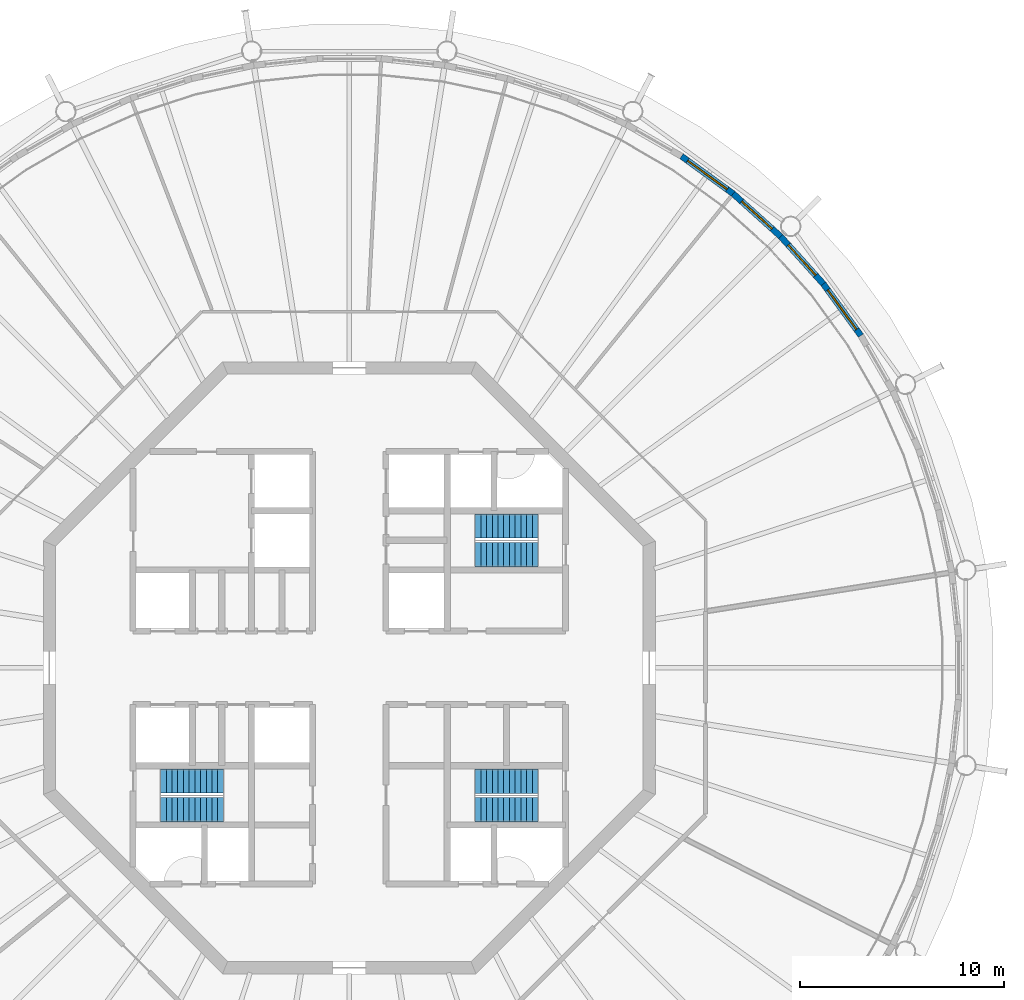
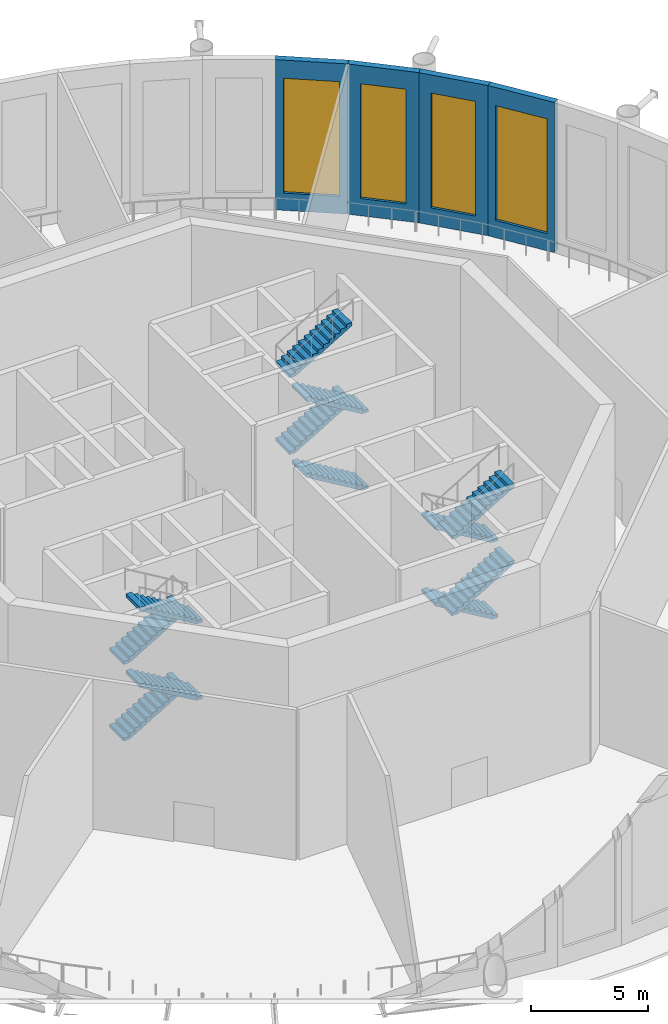
# One storey, part 9 of 17: 12 stair flights, 4 walls, 4 windows, 4 openings, 3 elements without a shape of their own.
"""IFC4 building model written with IfcOpenShell, lengths in metres."""

from ifc_helpers import new_model, si_unit, direction, frame, frame_2d, origin, place, context, subcontext, project, spatial, polyline, rectangle, outline, extrude, material, layer, layer_set, type_object, element, fill, aggregate, save


model = new_model("IFC4")

# Units and contexts
model_context = context("Model", 3, precision=1e-05, world=origin(), true_north=direction((0.0, 1.0)))
body_context = subcontext(model_context, "Body", "Model", "MODEL_VIEW")
ifc_project = project(units=[si_unit("LENGTHUNIT", "METRE"), si_unit("AREAUNIT", "SQUARE_METRE"), si_unit("VOLUMEUNIT", "CUBIC_METRE"), si_unit("PLANEANGLEUNIT", "RADIAN"), si_unit("MASSUNIT", "GRAM", prefix="KILO")], contexts=[model_context])

# Site, building, storey
site_placement = place(None, origin())
site = spatial("IfcSite", under=ifc_project, at=site_placement, CompositionType="ELEMENT")
building_placement = place(site_placement, origin())
building = spatial("IfcBuilding", under=site, at=building_placement, Name="Entoto Ring Tower", CompositionType="ELEMENT")
storey_placement = place(building_placement, frame((0.0, 0.0, 407.0)))
storey = spatial("IfcBuildingStorey", under=building, at=storey_placement, Name="L93", CompositionType="ELEMENT", Elevation=407.0)

# Wall, opening, window
ifc_material_1 = material(Name="Insulated aluminium rainscreen on steel studs", Category="steel")
ifc_layer = layer(ifc_material_1, 0.300048828125)
ifc_layer_set = layer_set([ifc_layer], Name="Insulated aluminium rainscreen on steel studs")
wall_type = type_object("IfcWallType", Name="Observation facade wall 300 mm", PredefinedType="STANDARD", material=ifc_layer_set)
wall_1_placement = place(storey_placement, frame((115.076171875, 96.28466796875, 0.0), z_axis=(0.0, 0.0, 1.0), x_axis=(-0.587786653389, 0.809015976417, 0.0)))
wall_1 = element("IfcWall", 1, at=wall_1_placement, inside=storey, type_object=wall_type, Name="OBSERVATION WALL 04", PredefinedType="STANDARD", context=body_context, shape_type="SweptSolid", body=[
    extrude(outline(polyline([(-0.0078125, -0.14990234375), (3.137451171875, -0.14990234375), (3.121826171875, 0.14990234375), (0.0078125, 0.14990234375), (-0.0078125, -0.14990234375)])), origin(), (0.0, 0.0, 1.0), 7.85009765625),
])
opening_1_placement = place(wall_1_placement, frame((0.36474609375, 0.0, 0.89990234375)))
opening_1 = element("IfcOpeningElement", 2, at=opening_1_placement, cuts=wall_1, Name="Opening W1", PredefinedType="OPENING", context=body_context, shape_type="SweptSolid", body=[
    extrude(rectangle(XDim=2.39990234375, YDim=6.0, at=frame_2d((1.199951171875, 3.0))), frame((0.0, 0.16015625, 0.0), z_axis=(0.0, -1.0, 0.0), x_axis=(1.0, 0.0, 0.0)), (0.0, 0.0, 1.0), 0.320068359375),
])
ifc_material_2 = material(Name="Clear low-iron glass in anodised aluminium frame", Category="aluminium")
window_type_1 = type_object("IfcWindowType", Name="Observation window W1 2400 x 6000 mm fixed", PartitioningType="SINGLE_PANEL", PredefinedType="WINDOW", material=ifc_material_2)
window_1_placement = place(opening_1_placement, origin())
window_1 = element("IfcWindow", 3, at=window_1_placement, inside=storey, type_object=window_type_1, Name="OBSERVATION WINDOW 04", OverallHeight=6.0, OverallWidth=2.39990234375, PartitioningType="SINGLE_PANEL", PredefinedType="WINDOW", context=body_context, shape_type="SweptSolid", body=[
    extrude(rectangle(XDim=2.39990234375, YDim=6.0, at=frame_2d((1.199951171875, 3.0))), frame((0.0, 0.030029296875, 0.0), z_axis=(0.0, -1.0, 0.0), x_axis=(1.0, 0.0, 0.0)), (0.0, 0.0, 1.0), 0.06005859375),
])
fill(opening_1, window_1)

wall_2_placement = place(storey_placement, frame((113.236572265625, 98.816650390625, 0.0), z_axis=(0.0, 0.0, 1.0), x_axis=(-0.669081090075, 0.743189407153, 0.0)))
wall_2 = element("IfcWall", 4, at=wall_2_placement, inside=storey, type_object=wall_type, Name="OBSERVATION WALL 05", PredefinedType="STANDARD", context=body_context, shape_type="SweptSolid", body=[
    extrude(outline(polyline([(-0.0078125, -0.14990234375), (3.137451171875, -0.14990234375), (3.121826171875, 0.14990234375), (0.0078125, 0.14990234375), (-0.0078125, -0.14990234375)])), origin(), (0.0, 0.0, 1.0), 7.85009765625),
])
opening_2_placement = place(wall_2_placement, frame((0.56494140625, 0.0, 0.89990234375)))
opening_2 = element("IfcOpeningElement", 5, at=opening_2_placement, cuts=wall_2, Name="Opening W2", PredefinedType="OPENING", context=body_context, shape_type="SweptSolid", body=[
    extrude(rectangle(XDim=2.0, YDim=6.0, at=frame_2d((1.0, 3.0))), frame((0.0, 0.16015625, 0.0), z_axis=(0.0, -1.0, 0.0), x_axis=(1.0, 0.0, 0.0)), (0.0, 0.0, 1.0), 0.320068359375),
])
ifc_material_3 = material(Name="Clear low-iron glass in anodised aluminium frame", Category="aluminium")
window_type_2 = type_object("IfcWindowType", Name="Observation window W2 2000 x 6000 mm fixed", PartitioningType="SINGLE_PANEL", PredefinedType="WINDOW", material=ifc_material_3)
window_2_placement = place(opening_2_placement, origin())
window_2 = element("IfcWindow", 6, at=window_2_placement, inside=storey, type_object=window_type_2, Name="OBSERVATION WINDOW 05", OverallHeight=6.0, OverallWidth=2.0, PartitioningType="SINGLE_PANEL", PredefinedType="WINDOW", context=body_context, shape_type="SweptSolid", body=[
    extrude(rectangle(XDim=2.0, YDim=6.0, at=frame_2d((1.0, 3.0))), frame((0.0, 0.030029296875, 0.0), z_axis=(0.0, -1.0, 0.0), x_axis=(1.0, 0.0, 0.0)), (0.0, 0.0, 1.0), 0.06005859375),
])
fill(opening_2, window_2)

wall_3_placement = place(storey_placement, frame((111.142578125, 101.142578125, 0.0), z_axis=(0.0, 0.0, 1.0), x_axis=(-0.743189407153, 0.669081090075, 0.0)))
wall_3 = element("IfcWall", 7, at=wall_3_placement, inside=storey, type_object=wall_type, Name="OBSERVATION WALL 06", PredefinedType="STANDARD", context=body_context, shape_type="SweptSolid", body=[
    extrude(outline(polyline([(-0.0078125, -0.14990234375), (3.137451171875, -0.14990234375), (3.121826171875, 0.14990234375), (0.0078125, 0.14990234375), (-0.0078125, -0.14990234375)])), origin(), (0.0, 0.0, 1.0), 7.85009765625),
])
opening_3_placement = place(wall_3_placement, frame((0.56494140625, 0.0, 0.89990234375)))
opening_3 = element("IfcOpeningElement", 8, at=opening_3_placement, cuts=wall_3, Name="Opening W2", PredefinedType="OPENING", context=body_context, shape_type="SweptSolid", body=[
    extrude(rectangle(XDim=2.0, YDim=6.0, at=frame_2d((1.0, 3.0))), frame((0.0, 0.16015625, 0.0), z_axis=(0.0, -1.0, 0.0), x_axis=(1.0, 0.0, 0.0)), (0.0, 0.0, 1.0), 0.320068359375),
])
window_3_placement = place(opening_3_placement, origin())
window_3 = element("IfcWindow", 9, at=window_3_placement, inside=storey, type_object=window_type_2, Name="OBSERVATION WINDOW 06", OverallHeight=6.0, OverallWidth=2.0, PartitioningType="SINGLE_PANEL", PredefinedType="WINDOW", context=body_context, shape_type="SweptSolid", body=[
    extrude(rectangle(XDim=2.0, YDim=6.0, at=frame_2d((1.0, 3.0))), frame((0.0, 0.030029296875, 0.0), z_axis=(0.0, -1.0, 0.0), x_axis=(1.0, 0.0, 0.0)), (0.0, 0.0, 1.0), 0.06005859375),
])
fill(opening_3, window_3)

wall_4_placement = place(storey_placement, frame((108.816650390625, 103.236572265625, 0.0), z_axis=(0.0, 0.0, 1.0), x_axis=(-0.809015976417, 0.587786653389, 0.0)))
wall_4 = element("IfcWall", 10, at=wall_4_placement, inside=storey, type_object=wall_type, Name="OBSERVATION WALL 07", PredefinedType="STANDARD", context=body_context, shape_type="SweptSolid", body=[
    extrude(outline(polyline([(-0.0078125, -0.14990234375), (3.137451171875, -0.14990234375), (3.121826171875, 0.14990234375), (0.0078125, 0.14990234375), (-0.0078125, -0.14990234375)])), origin(), (0.0, 0.0, 1.0), 7.85009765625),
])
opening_4_placement = place(wall_4_placement, frame((0.36474609375, 0.0, 0.89990234375)))
opening_4 = element("IfcOpeningElement", 11, at=opening_4_placement, cuts=wall_4, Name="Opening W1", PredefinedType="OPENING", context=body_context, shape_type="SweptSolid", body=[
    extrude(rectangle(XDim=2.39990234375, YDim=6.0, at=frame_2d((1.199951171875, 3.0))), frame((0.0, 0.16015625, 0.0), z_axis=(0.0, -1.0, 0.0), x_axis=(1.0, 0.0, 0.0)), (0.0, 0.0, 1.0), 0.320068359375),
])
window_4_placement = place(opening_4_placement, origin())
window_4 = element("IfcWindow", 12, at=window_4_placement, inside=storey, type_object=window_type_1, Name="OBSERVATION WINDOW 07", OverallHeight=6.0, OverallWidth=2.39990234375, PartitioningType="SINGLE_PANEL", PredefinedType="WINDOW", context=body_context, shape_type="SweptSolid", body=[
    extrude(rectangle(XDim=2.39990234375, YDim=6.0, at=frame_2d((1.199951171875, 3.0))), frame((0.0, 0.030029296875, 0.0), z_axis=(0.0, -1.0, 0.0), x_axis=(1.0, 0.0, 0.0)), (0.0, 0.0, 1.0), 0.06005859375),
])
fill(opening_4, window_4)

# Stair, stair flights
ifc_material_4 = material(Name="Concrete C40/50", Category="concrete")
stair_type = type_object("IfcStairType", Name="Exit stair 1200 mm dog-leg reinforced concrete", PredefinedType="HALF_TURN_STAIR", material=ifc_material_4)
stair_1_placement = place(storey_placement, origin())
stair_1 = element("IfcStair", 13, at=stair_1_placement, inside=storey, type_object=stair_type, Name="Exit stair 1", PredefinedType="HALF_TURN_STAIR")
ifc_material_5 = material(Name="Concrete C40/50", Category="concrete")
stair_flight_type = type_object("IfcStairFlightType", Name="Stair flight 1200 mm reinforced concrete", PredefinedType="STRAIGHT", material=ifc_material_5)
stair_flight_1_placement = place(storey_placement, frame((99.25, 85.550048828125, 0.0), z_axis=(0.0, 0.0, 1.0), x_axis=(-1.0, 0.0, 0.0)))
stair_flight_1 = element("IfcStairFlight", 14, at=stair_flight_1_placement, type_object=stair_flight_type, Name="ST1 flight 1", NumberOfRisers=12, NumberOfTreads=11, PredefinedType="STRAIGHT", RiserHeight=0.166666667, TreadLength=0.28, context=body_context, shape_type="SweptSolid", body=[
    extrude(outline(polyline([(0.0, 0.0), (0.0, 0.166748046875), (0.280029296875, 0.166748046875), (0.280029296875, 0.333251953125), (0.56005859375, 0.333251953125), (0.56005859375, 0.5), (0.840087890625, 0.5), (0.840087890625, 0.666748046875), (1.1201171875, 0.666748046875), (1.1201171875, 0.833251953125), (1.39990234375, 0.833251953125), (1.39990234375, 1.0), (1.679931640625, 1.0), (1.679931640625, 1.166748046875), (1.9599609375, 1.166748046875), (1.9599609375, 1.333251953125), (2.239990234375, 1.333251953125), (2.239990234375, 1.5), (2.52001953125, 1.5), (2.52001953125, 1.666748046875), (2.800048828125, 1.666748046875), (2.800048828125, 1.833251953125), (3.080078125, 1.833251953125), (3.080078125, 2.0), (3.080078125, 1.658935546875), (0.29296875, 0.0), (0.0, 0.0)])), frame((0.0, 0.60009765625, 0.0), z_axis=(0.0, -1.0, 0.0), x_axis=(1.0, 0.0, 0.0)), (0.0, 0.0, 1.0), 1.199951171875),
])
stair_flight_2_placement = place(storey_placement, frame((96.169921875, 86.949951171875, 2.0), z_axis=(0.0, 0.0, 1.0), x_axis=(1.0, 0.0, 0.0)))
stair_flight_2 = element("IfcStairFlight", 15, at=stair_flight_2_placement, type_object=stair_flight_type, Name="ST1 flight 2", NumberOfRisers=12, NumberOfTreads=11, PredefinedType="STRAIGHT", RiserHeight=0.166666667, TreadLength=0.28, context=body_context, shape_type="SweptSolid", body=[
    extrude(outline(polyline([(0.0, 0.0), (0.0, 0.166748046875), (0.280029296875, 0.166748046875), (0.280029296875, 0.333251953125), (0.56005859375, 0.333251953125), (0.56005859375, 0.5), (0.840087890625, 0.5), (0.840087890625, 0.666748046875), (1.1201171875, 0.666748046875), (1.1201171875, 0.833251953125), (1.39990234375, 0.833251953125), (1.39990234375, 1.0), (1.679931640625, 1.0), (1.679931640625, 1.166748046875), (1.9599609375, 1.166748046875), (1.9599609375, 1.333251953125), (2.239990234375, 1.333251953125), (2.239990234375, 1.5), (2.52001953125, 1.5), (2.52001953125, 1.666748046875), (2.800048828125, 1.666748046875), (2.800048828125, 1.833251953125), (3.080078125, 1.833251953125), (3.080078125, 2.0), (3.080078125, 1.658935546875), (0.29296875, 0.0), (0.0, 0.0)])), frame((0.0, 0.60009765625, 0.0), z_axis=(0.0, -1.0, 0.0), x_axis=(1.0, 0.0, 0.0)), (0.0, 0.0, 1.0), 1.199951171875),
])
stair_flight_3_placement = place(storey_placement, frame((99.25, 85.550048828125, 4.0), z_axis=(0.0, 0.0, 1.0), x_axis=(-1.0, 0.0, 0.0)))
stair_flight_3 = element("IfcStairFlight", 16, at=stair_flight_3_placement, type_object=stair_flight_type, Name="ST1 flight 3", NumberOfRisers=12, NumberOfTreads=11, PredefinedType="STRAIGHT", RiserHeight=0.166666667, TreadLength=0.28, context=body_context, shape_type="SweptSolid", body=[
    extrude(outline(polyline([(0.0, 0.0), (0.0, 0.166748046875), (0.280029296875, 0.166748046875), (0.280029296875, 0.333251953125), (0.56005859375, 0.333251953125), (0.56005859375, 0.5), (0.840087890625, 0.5), (0.840087890625, 0.666748046875), (1.1201171875, 0.666748046875), (1.1201171875, 0.833251953125), (1.39990234375, 0.833251953125), (1.39990234375, 1.0), (1.679931640625, 1.0), (1.679931640625, 1.166748046875), (1.9599609375, 1.166748046875), (1.9599609375, 1.333251953125), (2.239990234375, 1.333251953125), (2.239990234375, 1.5), (2.52001953125, 1.5), (2.52001953125, 1.666748046875), (2.800048828125, 1.666748046875), (2.800048828125, 1.833251953125), (3.080078125, 1.833251953125), (3.080078125, 2.0), (3.080078125, 1.658935546875), (0.29296875, 0.0), (0.0, 0.0)])), frame((0.0, 0.60009765625, 0.0), z_axis=(0.0, -1.0, 0.0), x_axis=(1.0, 0.0, 0.0)), (0.0, 0.0, 1.0), 1.199951171875),
])
stair_flight_4_placement = place(storey_placement, frame((96.169921875, 86.949951171875, 6.0), z_axis=(0.0, 0.0, 1.0), x_axis=(1.0, 0.0, 0.0)))
stair_flight_4 = element("IfcStairFlight", 17, at=stair_flight_4_placement, type_object=stair_flight_type, Name="ST1 flight 4", NumberOfRisers=12, NumberOfTreads=11, PredefinedType="STRAIGHT", RiserHeight=0.166666667, TreadLength=0.28, context=body_context, shape_type="SweptSolid", body=[
    extrude(outline(polyline([(0.0, 0.0), (0.0, 0.166748046875), (0.280029296875, 0.166748046875), (0.280029296875, 0.333251953125), (0.56005859375, 0.333251953125), (0.56005859375, 0.5), (0.840087890625, 0.5), (0.840087890625, 0.666748046875), (1.1201171875, 0.666748046875), (1.1201171875, 0.833251953125), (1.39990234375, 0.833251953125), (1.39990234375, 1.0), (1.679931640625, 1.0), (1.679931640625, 1.166748046875), (1.9599609375, 1.166748046875), (1.9599609375, 1.333251953125), (2.239990234375, 1.333251953125), (2.239990234375, 1.5), (2.52001953125, 1.5), (2.52001953125, 1.666748046875), (2.800048828125, 1.666748046875), (2.800048828125, 1.833251953125), (3.080078125, 1.833251953125), (3.080078125, 2.0), (3.080078125, 1.658935546875), (0.29296875, 0.0), (0.0, 0.0)])), frame((0.0, 0.60009765625, 0.0), z_axis=(0.0, -1.0, 0.0), x_axis=(1.0, 0.0, 0.0)), (0.0, 0.0, 1.0), 1.199951171875),
])
aggregate(stair_1, [stair_flight_1, stair_flight_2, stair_flight_3, stair_flight_4])

stair_2_placement = place(storey_placement, origin())
stair_2 = element("IfcStair", 18, at=stair_2_placement, inside=storey, type_object=stair_type, Name="Exit stair 2", PredefinedType="HALF_TURN_STAIR")
stair_flight_5_placement = place(storey_placement, frame((80.75, 74.449951171875, 0.0), z_axis=(0.0, 0.0, 1.0), x_axis=(1.0, 0.0, 0.0)))
stair_flight_5 = element("IfcStairFlight", 19, at=stair_flight_5_placement, type_object=stair_flight_type, Name="ST2 flight 1", NumberOfRisers=12, NumberOfTreads=11, PredefinedType="STRAIGHT", RiserHeight=0.166666667, TreadLength=0.28, context=body_context, shape_type="SweptSolid", body=[
    extrude(outline(polyline([(0.0, 0.0), (0.0, 0.166748046875), (0.280029296875, 0.166748046875), (0.280029296875, 0.333251953125), (0.56005859375, 0.333251953125), (0.56005859375, 0.5), (0.840087890625, 0.5), (0.840087890625, 0.666748046875), (1.1201171875, 0.666748046875), (1.1201171875, 0.833251953125), (1.39990234375, 0.833251953125), (1.39990234375, 1.0), (1.679931640625, 1.0), (1.679931640625, 1.166748046875), (1.9599609375, 1.166748046875), (1.9599609375, 1.333251953125), (2.239990234375, 1.333251953125), (2.239990234375, 1.5), (2.52001953125, 1.5), (2.52001953125, 1.666748046875), (2.800048828125, 1.666748046875), (2.800048828125, 1.833251953125), (3.080078125, 1.833251953125), (3.080078125, 2.0), (3.080078125, 1.658935546875), (0.29296875, 0.0), (0.0, 0.0)])), frame((0.0, 0.60009765625, 0.0), z_axis=(0.0, -1.0, 0.0), x_axis=(1.0, 0.0, 0.0)), (0.0, 0.0, 1.0), 1.199951171875),
])
stair_flight_6_placement = place(storey_placement, frame((83.830078125, 73.050048828125, 2.0), z_axis=(0.0, 0.0, 1.0), x_axis=(-1.0, 0.0, 0.0)))
stair_flight_6 = element("IfcStairFlight", 20, at=stair_flight_6_placement, type_object=stair_flight_type, Name="ST2 flight 2", NumberOfRisers=12, NumberOfTreads=11, PredefinedType="STRAIGHT", RiserHeight=0.166666667, TreadLength=0.28, context=body_context, shape_type="SweptSolid", body=[
    extrude(outline(polyline([(0.0, 0.0), (0.0, 0.166748046875), (0.280029296875, 0.166748046875), (0.280029296875, 0.333251953125), (0.56005859375, 0.333251953125), (0.56005859375, 0.5), (0.840087890625, 0.5), (0.840087890625, 0.666748046875), (1.1201171875, 0.666748046875), (1.1201171875, 0.833251953125), (1.39990234375, 0.833251953125), (1.39990234375, 1.0), (1.679931640625, 1.0), (1.679931640625, 1.166748046875), (1.9599609375, 1.166748046875), (1.9599609375, 1.333251953125), (2.239990234375, 1.333251953125), (2.239990234375, 1.5), (2.52001953125, 1.5), (2.52001953125, 1.666748046875), (2.800048828125, 1.666748046875), (2.800048828125, 1.833251953125), (3.080078125, 1.833251953125), (3.080078125, 2.0), (3.080078125, 1.658935546875), (0.29296875, 0.0), (0.0, 0.0)])), frame((0.0, 0.60009765625, 0.0), z_axis=(0.0, -1.0, 0.0), x_axis=(1.0, 0.0, 0.0)), (0.0, 0.0, 1.0), 1.199951171875),
])
stair_flight_7_placement = place(storey_placement, frame((80.75, 74.449951171875, 4.0), z_axis=(0.0, 0.0, 1.0), x_axis=(1.0, 0.0, 0.0)))
stair_flight_7 = element("IfcStairFlight", 21, at=stair_flight_7_placement, type_object=stair_flight_type, Name="ST2 flight 3", NumberOfRisers=12, NumberOfTreads=11, PredefinedType="STRAIGHT", RiserHeight=0.166666667, TreadLength=0.28, context=body_context, shape_type="SweptSolid", body=[
    extrude(outline(polyline([(0.0, 0.0), (0.0, 0.166748046875), (0.280029296875, 0.166748046875), (0.280029296875, 0.333251953125), (0.56005859375, 0.333251953125), (0.56005859375, 0.5), (0.840087890625, 0.5), (0.840087890625, 0.666748046875), (1.1201171875, 0.666748046875), (1.1201171875, 0.833251953125), (1.39990234375, 0.833251953125), (1.39990234375, 1.0), (1.679931640625, 1.0), (1.679931640625, 1.166748046875), (1.9599609375, 1.166748046875), (1.9599609375, 1.333251953125), (2.239990234375, 1.333251953125), (2.239990234375, 1.5), (2.52001953125, 1.5), (2.52001953125, 1.666748046875), (2.800048828125, 1.666748046875), (2.800048828125, 1.833251953125), (3.080078125, 1.833251953125), (3.080078125, 2.0), (3.080078125, 1.658935546875), (0.29296875, 0.0), (0.0, 0.0)])), frame((0.0, 0.60009765625, 0.0), z_axis=(0.0, -1.0, 0.0), x_axis=(1.0, 0.0, 0.0)), (0.0, 0.0, 1.0), 1.199951171875),
])
stair_flight_8_placement = place(storey_placement, frame((83.830078125, 73.050048828125, 6.0), z_axis=(0.0, 0.0, 1.0), x_axis=(-1.0, 0.0, 0.0)))
stair_flight_8 = element("IfcStairFlight", 22, at=stair_flight_8_placement, type_object=stair_flight_type, Name="ST2 flight 4", NumberOfRisers=12, NumberOfTreads=11, PredefinedType="STRAIGHT", RiserHeight=0.166666667, TreadLength=0.28, context=body_context, shape_type="SweptSolid", body=[
    extrude(outline(polyline([(0.0, 0.0), (0.0, 0.166748046875), (0.280029296875, 0.166748046875), (0.280029296875, 0.333251953125), (0.56005859375, 0.333251953125), (0.56005859375, 0.5), (0.840087890625, 0.5), (0.840087890625, 0.666748046875), (1.1201171875, 0.666748046875), (1.1201171875, 0.833251953125), (1.39990234375, 0.833251953125), (1.39990234375, 1.0), (1.679931640625, 1.0), (1.679931640625, 1.166748046875), (1.9599609375, 1.166748046875), (1.9599609375, 1.333251953125), (2.239990234375, 1.333251953125), (2.239990234375, 1.5), (2.52001953125, 1.5), (2.52001953125, 1.666748046875), (2.800048828125, 1.666748046875), (2.800048828125, 1.833251953125), (3.080078125, 1.833251953125), (3.080078125, 2.0), (3.080078125, 1.658935546875), (0.29296875, 0.0), (0.0, 0.0)])), frame((0.0, 0.60009765625, 0.0), z_axis=(0.0, -1.0, 0.0), x_axis=(1.0, 0.0, 0.0)), (0.0, 0.0, 1.0), 1.199951171875),
])
aggregate(stair_2, [stair_flight_5, stair_flight_6, stair_flight_7, stair_flight_8])

stair_3_placement = place(storey_placement, origin())
stair_3 = element("IfcStair", 23, at=stair_3_placement, inside=storey, type_object=stair_type, Name="Exit stair 3", PredefinedType="HALF_TURN_STAIR")
stair_flight_9_placement = place(storey_placement, frame((99.25, 74.449951171875, 0.0), z_axis=(0.0, 0.0, 1.0), x_axis=(-1.0, 0.0, 0.0)))
stair_flight_9 = element("IfcStairFlight", 24, at=stair_flight_9_placement, type_object=stair_flight_type, Name="ST3 flight 1", NumberOfRisers=12, NumberOfTreads=11, PredefinedType="STRAIGHT", RiserHeight=0.166666667, TreadLength=0.28, context=body_context, shape_type="SweptSolid", body=[
    extrude(outline(polyline([(0.0, 0.0), (0.0, 0.166748046875), (0.280029296875, 0.166748046875), (0.280029296875, 0.333251953125), (0.56005859375, 0.333251953125), (0.56005859375, 0.5), (0.840087890625, 0.5), (0.840087890625, 0.666748046875), (1.1201171875, 0.666748046875), (1.1201171875, 0.833251953125), (1.39990234375, 0.833251953125), (1.39990234375, 1.0), (1.679931640625, 1.0), (1.679931640625, 1.166748046875), (1.9599609375, 1.166748046875), (1.9599609375, 1.333251953125), (2.239990234375, 1.333251953125), (2.239990234375, 1.5), (2.52001953125, 1.5), (2.52001953125, 1.666748046875), (2.800048828125, 1.666748046875), (2.800048828125, 1.833251953125), (3.080078125, 1.833251953125), (3.080078125, 2.0), (3.080078125, 1.658935546875), (0.29296875, 0.0), (0.0, 0.0)])), frame((0.0, 0.60009765625, 0.0), z_axis=(0.0, -1.0, 0.0), x_axis=(1.0, 0.0, 0.0)), (0.0, 0.0, 1.0), 1.199951171875),
])
stair_flight_10_placement = place(storey_placement, frame((96.169921875, 73.050048828125, 2.0), z_axis=(0.0, 0.0, 1.0), x_axis=(1.0, 0.0, 0.0)))
stair_flight_10 = element("IfcStairFlight", 25, at=stair_flight_10_placement, type_object=stair_flight_type, Name="ST3 flight 2", NumberOfRisers=12, NumberOfTreads=11, PredefinedType="STRAIGHT", RiserHeight=0.166666667, TreadLength=0.28, context=body_context, shape_type="SweptSolid", body=[
    extrude(outline(polyline([(0.0, 0.0), (0.0, 0.166748046875), (0.280029296875, 0.166748046875), (0.280029296875, 0.333251953125), (0.56005859375, 0.333251953125), (0.56005859375, 0.5), (0.840087890625, 0.5), (0.840087890625, 0.666748046875), (1.1201171875, 0.666748046875), (1.1201171875, 0.833251953125), (1.39990234375, 0.833251953125), (1.39990234375, 1.0), (1.679931640625, 1.0), (1.679931640625, 1.166748046875), (1.9599609375, 1.166748046875), (1.9599609375, 1.333251953125), (2.239990234375, 1.333251953125), (2.239990234375, 1.5), (2.52001953125, 1.5), (2.52001953125, 1.666748046875), (2.800048828125, 1.666748046875), (2.800048828125, 1.833251953125), (3.080078125, 1.833251953125), (3.080078125, 2.0), (3.080078125, 1.658935546875), (0.29296875, 0.0), (0.0, 0.0)])), frame((0.0, 0.60009765625, 0.0), z_axis=(0.0, -1.0, 0.0), x_axis=(1.0, 0.0, 0.0)), (0.0, 0.0, 1.0), 1.199951171875),
])
stair_flight_11_placement = place(storey_placement, frame((99.25, 74.449951171875, 4.0), z_axis=(0.0, 0.0, 1.0), x_axis=(-1.0, 0.0, 0.0)))
stair_flight_11 = element("IfcStairFlight", 26, at=stair_flight_11_placement, type_object=stair_flight_type, Name="ST3 flight 3", NumberOfRisers=12, NumberOfTreads=11, PredefinedType="STRAIGHT", RiserHeight=0.166666667, TreadLength=0.28, context=body_context, shape_type="SweptSolid", body=[
    extrude(outline(polyline([(0.0, 0.0), (0.0, 0.166748046875), (0.280029296875, 0.166748046875), (0.280029296875, 0.333251953125), (0.56005859375, 0.333251953125), (0.56005859375, 0.5), (0.840087890625, 0.5), (0.840087890625, 0.666748046875), (1.1201171875, 0.666748046875), (1.1201171875, 0.833251953125), (1.39990234375, 0.833251953125), (1.39990234375, 1.0), (1.679931640625, 1.0), (1.679931640625, 1.166748046875), (1.9599609375, 1.166748046875), (1.9599609375, 1.333251953125), (2.239990234375, 1.333251953125), (2.239990234375, 1.5), (2.52001953125, 1.5), (2.52001953125, 1.666748046875), (2.800048828125, 1.666748046875), (2.800048828125, 1.833251953125), (3.080078125, 1.833251953125), (3.080078125, 2.0), (3.080078125, 1.658935546875), (0.29296875, 0.0), (0.0, 0.0)])), frame((0.0, 0.60009765625, 0.0), z_axis=(0.0, -1.0, 0.0), x_axis=(1.0, 0.0, 0.0)), (0.0, 0.0, 1.0), 1.199951171875),
])
stair_flight_12_placement = place(storey_placement, frame((96.169921875, 73.050048828125, 6.0), z_axis=(0.0, 0.0, 1.0), x_axis=(1.0, 0.0, 0.0)))
stair_flight_12 = element("IfcStairFlight", 27, at=stair_flight_12_placement, type_object=stair_flight_type, Name="ST3 flight 4", NumberOfRisers=12, NumberOfTreads=11, PredefinedType="STRAIGHT", RiserHeight=0.166666667, TreadLength=0.28, context=body_context, shape_type="SweptSolid", body=[
    extrude(outline(polyline([(0.0, 0.0), (0.0, 0.166748046875), (0.280029296875, 0.166748046875), (0.280029296875, 0.333251953125), (0.56005859375, 0.333251953125), (0.56005859375, 0.5), (0.840087890625, 0.5), (0.840087890625, 0.666748046875), (1.1201171875, 0.666748046875), (1.1201171875, 0.833251953125), (1.39990234375, 0.833251953125), (1.39990234375, 1.0), (1.679931640625, 1.0), (1.679931640625, 1.166748046875), (1.9599609375, 1.166748046875), (1.9599609375, 1.333251953125), (2.239990234375, 1.333251953125), (2.239990234375, 1.5), (2.52001953125, 1.5), (2.52001953125, 1.666748046875), (2.800048828125, 1.666748046875), (2.800048828125, 1.833251953125), (3.080078125, 1.833251953125), (3.080078125, 2.0), (3.080078125, 1.658935546875), (0.29296875, 0.0), (0.0, 0.0)])), frame((0.0, 0.60009765625, 0.0), z_axis=(0.0, -1.0, 0.0), x_axis=(1.0, 0.0, 0.0)), (0.0, 0.0, 1.0), 1.199951171875),
])
aggregate(stair_3, [stair_flight_9, stair_flight_10, stair_flight_11, stair_flight_12])

save(model, "model.ifc")
